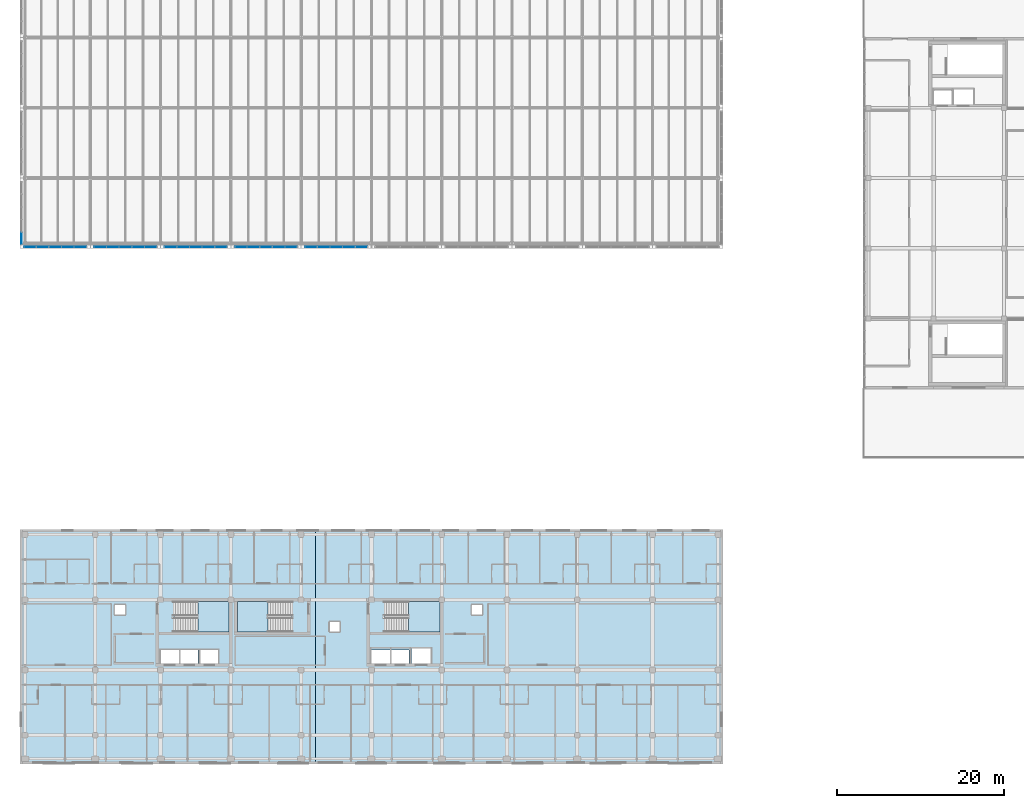
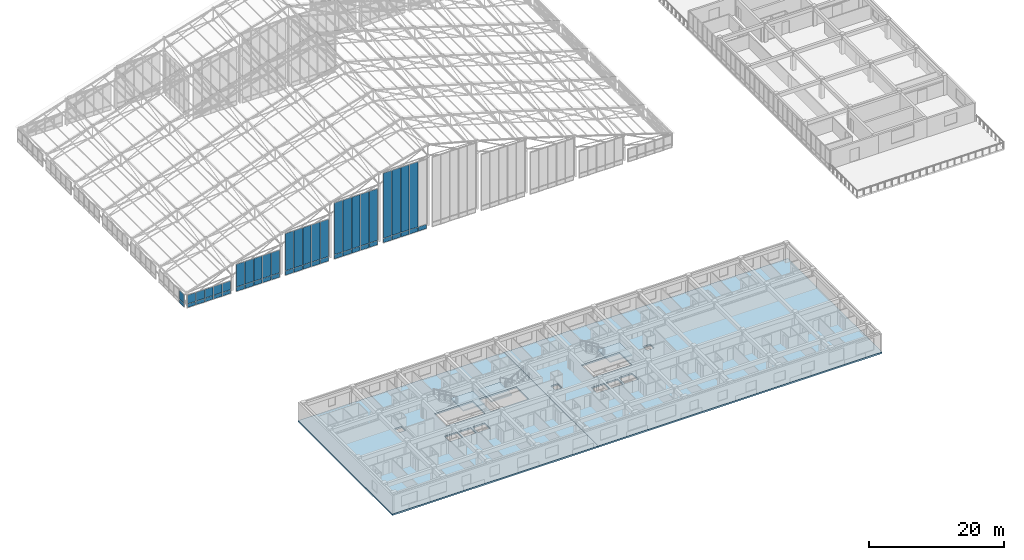
# One storey, part 105 of 144: 51 plates, 5 slabs, 9 elements without a shape of their own.
"""IFC4 building model written with IfcOpenShell, lengths in metres."""

from ifc_helpers import new_model, si_unit, direction, frame, origin, origin_2d, place, context, subcontext, project, spatial, polyline, rectangle, outline, extrude, material, layer, layer_set, type_object, element, aggregate, save


model = new_model("IFC4")

# Units and contexts
model_context = context("Model", 3, precision=1e-05, world=origin(), true_north=direction((0.0, 1.0)))
body_context = subcontext(model_context, "Body", "Model", "MODEL_VIEW")
ifc_project = project(units=[si_unit("LENGTHUNIT", "METRE"), si_unit("AREAUNIT", "SQUARE_METRE"), si_unit("VOLUMEUNIT", "CUBIC_METRE"), si_unit("PLANEANGLEUNIT", "RADIAN"), si_unit("MASSUNIT", "GRAM", prefix="KILO")], contexts=[model_context])

# Site, building, storey
site_placement = place(None, origin())
site = spatial("IfcSite", under=ifc_project, at=site_placement, CompositionType="ELEMENT")
building_placement = place(site_placement, origin())
building = spatial("IfcBuilding", under=site, at=building_placement, Name="Zayran Congress Hotel", CompositionType="ELEMENT")
storey_placement = place(building_placement, frame((0.0, 0.0, 19.199951171875)))
storey = spatial("IfcBuildingStorey", under=building, at=storey_placement, Name="L04", CompositionType="ELEMENT", Elevation=19.199951171875)

# Slabs
ifc_material_1 = material(Name="Concrete C32/40", Category="concrete")
ifc_layer_1 = layer(ifc_material_1, 0.280029296875)
ifc_layer_set_1 = layer_set([ifc_layer_1], Name="Concrete C32/40")
slab_type_1 = type_object("IfcSlabType", Name="SL-FL-280", PredefinedType="FLOOR", material=ifc_layer_set_1)
slab_1_placement = place(storey_placement, frame((0.0, 0.0, -0.280029296875)))
element("IfcSlab", 1, at=slab_1_placement, inside=storey, type_object=slab_type_1, Name="SLB-V5-L04-038", PredefinedType="FLOOR", context=body_context, shape_type="SweptSolid", body=[
    extrude(outline(polyline([(8.39990234375, 6.0), (43.699951171875, 6.0), (43.699951171875, 34.0), (8.39990234375, 34.0), (8.39990234375, 6.0)]), holes=[polyline([(26.840087890625, 21.760009765625), (33.39990234375, 21.760009765625), (33.39990234375, 25.39990234375), (26.840087890625, 25.39990234375), (26.840087890625, 21.760009765625)]), polyline([(25.199951171875, 18.0), (27.39990234375, 18.0), (27.39990234375, 19.60009765625), (25.199951171875, 19.60009765625), (25.199951171875, 18.0)]), polyline([(27.60009765625, 18.0), (29.699951171875, 18.0), (29.699951171875, 19.60009765625), (27.60009765625, 19.60009765625), (27.60009765625, 18.0)]), polyline([(30.0, 18.0), (32.10009765625, 18.0), (32.10009765625, 19.60009765625), (30.0, 19.60009765625), (30.0, 18.0)]), polyline([(34.39990234375, 21.760009765625), (40.860107421875, 21.760009765625), (40.860107421875, 25.39990234375), (34.39990234375, 25.39990234375), (34.39990234375, 21.760009765625)]), polyline([(19.739990234375, 23.800048828125), (20.9599609375, 23.800048828125), (20.9599609375, 24.97998046875), (19.739990234375, 24.97998046875), (19.739990234375, 23.800048828125)])]), origin(), (0.0, 0.0, 1.0), 0.280029296875),
])
slab_2_placement = place(storey_placement, frame((0.0, 0.0, -0.280029296875)))
element("IfcSlab", 2, at=slab_2_placement, inside=storey, type_object=slab_type_1, Name="SLB-V5-L04-039", PredefinedType="FLOOR", context=body_context, shape_type="SweptSolid", body=[
    extrude(outline(polyline([(43.699951171875, 6.0), (92.39990234375, 6.0), (92.39990234375, 34.0), (43.699951171875, 34.0), (43.699951171875, 6.0)]), holes=[polyline([(52.0400390625, 21.760009765625), (58.60009765625, 21.760009765625), (58.60009765625, 25.39990234375), (52.0400390625, 25.39990234375), (52.0400390625, 21.760009765625)]), polyline([(50.39990234375, 18.0), (52.60009765625, 18.0), (52.60009765625, 19.60009765625), (50.39990234375, 19.60009765625), (50.39990234375, 18.0)]), polyline([(52.800048828125, 18.0), (54.89990234375, 18.0), (54.89990234375, 19.60009765625), (52.800048828125, 19.60009765625), (52.800048828125, 18.0)]), polyline([(55.199951171875, 18.0), (57.5, 18.0), (57.5, 19.800048828125), (55.199951171875, 19.800048828125), (55.199951171875, 18.0)]), polyline([(45.39990234375, 21.800048828125), (46.6201171875, 21.800048828125), (46.6201171875, 22.97998046875), (45.39990234375, 22.97998046875), (45.39990234375, 21.800048828125)]), polyline([(62.39990234375, 23.800048828125), (63.6201171875, 23.800048828125), (63.6201171875, 24.97998046875), (62.39990234375, 24.97998046875), (62.39990234375, 23.800048828125)])]), origin(), (0.0, 0.0, 1.0), 0.280029296875),
])

# Curtain wall, plates
ifc_material_2 = material(Name="Anodised aluminium and low-E insulated glass", Category="aluminium")
ifc_layer_2 = layer(ifc_material_2, 0.179931640625)
ifc_layer_set_2 = layer_set([ifc_layer_2], Name="Anodised aluminium and low-E insulated glass")
curtain_wall_type_1 = type_object("IfcCurtainWallType", Name="CW-V1CL-L04-CW-12-7560-5020", PredefinedType="USERDEFINED", material=ifc_layer_set_2)
curtain_wall_1_placement = place(storey_placement, origin())
curtain_wall_1 = element("IfcCurtainWall", 3, at=curtain_wall_1_placement, inside=storey, type_object=curtain_wall_type_1, Name="CW-V1CLS-1", ObjectType="CURTAIN WALL", PredefinedType="USERDEFINED")
ifc_material_3 = material(Name="Insulated warm bronze aluminium spandrel panel", Category="aluminium")
ifc_layer_3 = layer(ifc_material_3, 0.06005859375)
ifc_layer_set_3 = layer_set([ifc_layer_3], Name="Insulated warm bronze aluminium spandrel panel")
plate_type_1 = type_object("IfcPlateType", Name="CWP-SP-1392-750", PredefinedType="CURTAIN_PANEL", material=ifc_layer_set_3)
plate_1_placement = place(storey_placement, frame((17.99609375, 67.75, -0.159912109375), z_axis=(0.0, 0.0, 1.0), x_axis=(1.0, 0.0, 0.0)))
plate_1 = element("IfcPlate", 4, at=plate_1_placement, type_object=plate_type_1, Name="CW-12 Spandrel Panel 1", PredefinedType="CURTAIN_PANEL", context=body_context, shape_type="SweptSolid", body=[
    extrude(rectangle(XDim=1.39208984375, YDim=0.06005859375, at=origin_2d()), origin(), (0.0, 0.0, 1.0), 0.75),
])
plate_2_placement = place(storey_placement, frame((19.488037109375, 67.75, -0.159912109375), z_axis=(0.0, 0.0, 1.0), x_axis=(1.0, 0.0, 0.0)))
plate_2 = element("IfcPlate", 5, at=plate_2_placement, type_object=plate_type_1, Name="CW-12 Spandrel Panel 2", PredefinedType="CURTAIN_PANEL", context=body_context, shape_type="SweptSolid", body=[
    extrude(rectangle(XDim=1.431884765625, YDim=0.06005859375, at=origin_2d()), origin(), (0.0, 0.0, 1.0), 0.75),
])
plate_3_placement = place(storey_placement, frame((21.0, 67.75, -0.159912109375), z_axis=(0.0, 0.0, 1.0), x_axis=(1.0, 0.0, 0.0)))
plate_3 = element("IfcPlate", 6, at=plate_3_placement, type_object=plate_type_1, Name="CW-12 Spandrel Panel 3", PredefinedType="CURTAIN_PANEL", context=body_context, shape_type="SweptSolid", body=[
    extrude(rectangle(XDim=1.431884765625, YDim=0.06005859375, at=origin_2d()), origin(), (0.0, 0.0, 1.0), 0.75),
])
plate_4_placement = place(storey_placement, frame((22.511962890625, 67.75, -0.159912109375), z_axis=(0.0, 0.0, 1.0), x_axis=(1.0, 0.0, 0.0)))
plate_4 = element("IfcPlate", 7, at=plate_4_placement, type_object=plate_type_1, Name="CW-12 Spandrel Panel 4", PredefinedType="CURTAIN_PANEL", context=body_context, shape_type="SweptSolid", body=[
    extrude(rectangle(XDim=1.431884765625, YDim=0.06005859375, at=origin_2d()), origin(), (0.0, 0.0, 1.0), 0.75),
])
plate_5_placement = place(storey_placement, frame((24.00390625, 67.75, -0.159912109375), z_axis=(0.0, 0.0, 1.0), x_axis=(1.0, 0.0, 0.0)))
plate_5 = element("IfcPlate", 8, at=plate_5_placement, type_object=plate_type_1, Name="CW-12 Spandrel Panel 5", PredefinedType="CURTAIN_PANEL", context=body_context, shape_type="SweptSolid", body=[
    extrude(rectangle(XDim=1.39208984375, YDim=0.06005859375, at=origin_2d()), origin(), (0.0, 0.0, 1.0), 0.75),
])

ifc_layer_4 = layer(ifc_material_2, 0.179931640625)
ifc_layer_set_4 = layer_set([ifc_layer_4], Name="Anodised aluminium and low-E insulated glass")
curtain_wall_type_2 = type_object("IfcCurtainWallType", Name="CW-V1CL-L04-CW-13-7560-7670", PredefinedType="USERDEFINED", material=ifc_layer_set_4)
curtain_wall_2_placement = place(storey_placement, origin())
curtain_wall_2 = element("IfcCurtainWall", 9, at=curtain_wall_2_placement, inside=storey, type_object=curtain_wall_type_2, Name="CW-V1CLS-2", ObjectType="CURTAIN WALL", PredefinedType="USERDEFINED")
plate_6_placement = place(storey_placement, frame((26.39599609375, 67.75, -0.159912109375), z_axis=(0.0, 0.0, 1.0), x_axis=(1.0, 0.0, 0.0)))
plate_6 = element("IfcPlate", 10, at=plate_6_placement, type_object=plate_type_1, Name="CW-13 Spandrel Panel 1", PredefinedType="CURTAIN_PANEL", context=body_context, shape_type="SweptSolid", body=[
    extrude(rectangle(XDim=1.39208984375, YDim=0.06005859375, at=origin_2d()), origin(), (0.0, 0.0, 1.0), 0.75),
])
plate_7_placement = place(storey_placement, frame((27.887939453125, 67.75, -0.159912109375), z_axis=(0.0, 0.0, 1.0), x_axis=(1.0, 0.0, 0.0)))
plate_7 = element("IfcPlate", 11, at=plate_7_placement, type_object=plate_type_1, Name="CW-13 Spandrel Panel 2", PredefinedType="CURTAIN_PANEL", context=body_context, shape_type="SweptSolid", body=[
    extrude(rectangle(XDim=1.431884765625, YDim=0.06005859375, at=origin_2d()), origin(), (0.0, 0.0, 1.0), 0.75),
])
plate_8_placement = place(storey_placement, frame((29.39990234375, 67.75, -0.159912109375), z_axis=(0.0, 0.0, 1.0), x_axis=(1.0, 0.0, 0.0)))
plate_8 = element("IfcPlate", 12, at=plate_8_placement, type_object=plate_type_1, Name="CW-13 Spandrel Panel 3", PredefinedType="CURTAIN_PANEL", context=body_context, shape_type="SweptSolid", body=[
    extrude(rectangle(XDim=1.431884765625, YDim=0.06005859375, at=origin_2d()), origin(), (0.0, 0.0, 1.0), 0.75),
])
plate_9_placement = place(storey_placement, frame((30.912109375, 67.75, -0.159912109375), z_axis=(0.0, 0.0, 1.0), x_axis=(1.0, 0.0, 0.0)))
plate_9 = element("IfcPlate", 13, at=plate_9_placement, type_object=plate_type_1, Name="CW-13 Spandrel Panel 4", PredefinedType="CURTAIN_PANEL", context=body_context, shape_type="SweptSolid", body=[
    extrude(rectangle(XDim=1.431884765625, YDim=0.06005859375, at=origin_2d()), origin(), (0.0, 0.0, 1.0), 0.75),
])
plate_10_placement = place(storey_placement, frame((32.404052734375, 67.75, -0.159912109375), z_axis=(0.0, 0.0, 1.0), x_axis=(1.0, 0.0, 0.0)))
plate_10 = element("IfcPlate", 14, at=plate_10_placement, type_object=plate_type_1, Name="CW-13 Spandrel Panel 5", PredefinedType="CURTAIN_PANEL", context=body_context, shape_type="SweptSolid", body=[
    extrude(rectangle(XDim=1.39208984375, YDim=0.06005859375, at=origin_2d()), origin(), (0.0, 0.0, 1.0), 0.75),
])

ifc_layer_5 = layer(ifc_material_2, 0.179931640625)
ifc_layer_set_5 = layer_set([ifc_layer_5], Name="Anodised aluminium and low-E insulated glass")
curtain_wall_type_3 = type_object("IfcCurtainWallType", Name="CW-V1CL-L04-CW-11-7560-10270", PredefinedType="USERDEFINED", material=ifc_layer_set_5)
curtain_wall_3_placement = place(storey_placement, origin())
curtain_wall_3 = element("IfcCurtainWall", 15, at=curtain_wall_3_placement, inside=storey, type_object=curtain_wall_type_3, Name="CW-V1CLS-3", ObjectType="CURTAIN WALL", PredefinedType="USERDEFINED")
plate_11_placement = place(storey_placement, frame((34.7958984375, 67.75, -0.159912109375), z_axis=(0.0, 0.0, 1.0), x_axis=(1.0, 0.0, 0.0)))
plate_11 = element("IfcPlate", 16, at=plate_11_placement, type_object=plate_type_1, Name="CW-11 Spandrel Panel 1", PredefinedType="CURTAIN_PANEL", context=body_context, shape_type="SweptSolid", body=[
    extrude(rectangle(XDim=1.39208984375, YDim=0.06005859375, at=origin_2d()), origin(), (0.0, 0.0, 1.0), 0.75),
])
plate_12_placement = place(storey_placement, frame((36.2880859375, 67.75, -0.159912109375), z_axis=(0.0, 0.0, 1.0), x_axis=(1.0, 0.0, 0.0)))
plate_12 = element("IfcPlate", 17, at=plate_12_placement, type_object=plate_type_1, Name="CW-11 Spandrel Panel 2", PredefinedType="CURTAIN_PANEL", context=body_context, shape_type="SweptSolid", body=[
    extrude(rectangle(XDim=1.431884765625, YDim=0.06005859375, at=origin_2d()), origin(), (0.0, 0.0, 1.0), 0.75),
])
plate_13_placement = place(storey_placement, frame((37.800048828125, 67.75, -0.159912109375), z_axis=(0.0, 0.0, 1.0), x_axis=(1.0, 0.0, 0.0)))
plate_13 = element("IfcPlate", 18, at=plate_13_placement, type_object=plate_type_1, Name="CW-11 Spandrel Panel 3", PredefinedType="CURTAIN_PANEL", context=body_context, shape_type="SweptSolid", body=[
    extrude(rectangle(XDim=1.431884765625, YDim=0.06005859375, at=origin_2d()), origin(), (0.0, 0.0, 1.0), 0.75),
])
plate_14_placement = place(storey_placement, frame((39.31201171875, 67.75, -0.159912109375), z_axis=(0.0, 0.0, 1.0), x_axis=(1.0, 0.0, 0.0)))
plate_14 = element("IfcPlate", 19, at=plate_14_placement, type_object=plate_type_1, Name="CW-11 Spandrel Panel 4", PredefinedType="CURTAIN_PANEL", context=body_context, shape_type="SweptSolid", body=[
    extrude(rectangle(XDim=1.431884765625, YDim=0.06005859375, at=origin_2d()), origin(), (0.0, 0.0, 1.0), 0.75),
])
plate_15_placement = place(storey_placement, frame((40.803955078125, 67.75, -0.159912109375), z_axis=(0.0, 0.0, 1.0), x_axis=(1.0, 0.0, 0.0)))
plate_15 = element("IfcPlate", 20, at=plate_15_placement, type_object=plate_type_1, Name="CW-11 Spandrel Panel 5", PredefinedType="CURTAIN_PANEL", context=body_context, shape_type="SweptSolid", body=[
    extrude(rectangle(XDim=1.39208984375, YDim=0.06005859375, at=origin_2d()), origin(), (0.0, 0.0, 1.0), 0.75),
])

ifc_layer_6 = layer(ifc_material_2, 0.179931640625)
ifc_layer_set_6 = layer_set([ifc_layer_6], Name="Anodised aluminium and low-E insulated glass")
curtain_wall_type_4 = type_object("IfcCurtainWallType", Name="CW-V1CL-L04-CW-12-7560-12720", PredefinedType="USERDEFINED", material=ifc_layer_set_6)
curtain_wall_4_placement = place(storey_placement, origin())
curtain_wall_4 = element("IfcCurtainWall", 21, at=curtain_wall_4_placement, inside=storey, type_object=curtain_wall_type_4, Name="CW-V1CLS-4", ObjectType="CURTAIN WALL", PredefinedType="USERDEFINED")
plate_16_placement = place(storey_placement, frame((43.196044921875, 67.75, -0.159912109375), z_axis=(0.0, 0.0, 1.0), x_axis=(1.0, 0.0, 0.0)))
plate_16 = element("IfcPlate", 22, at=plate_16_placement, type_object=plate_type_1, Name="CW-12 Spandrel Panel 1", PredefinedType="CURTAIN_PANEL", context=body_context, shape_type="SweptSolid", body=[
    extrude(rectangle(XDim=1.39208984375, YDim=0.06005859375, at=origin_2d()), origin(), (0.0, 0.0, 1.0), 0.75),
])
plate_17_placement = place(storey_placement, frame((44.68798828125, 67.75, -0.159912109375), z_axis=(0.0, 0.0, 1.0), x_axis=(1.0, 0.0, 0.0)))
plate_17 = element("IfcPlate", 23, at=plate_17_placement, type_object=plate_type_1, Name="CW-12 Spandrel Panel 2", PredefinedType="CURTAIN_PANEL", context=body_context, shape_type="SweptSolid", body=[
    extrude(rectangle(XDim=1.431884765625, YDim=0.06005859375, at=origin_2d()), origin(), (0.0, 0.0, 1.0), 0.75),
])
plate_18_placement = place(storey_placement, frame((46.199951171875, 67.75, -0.159912109375), z_axis=(0.0, 0.0, 1.0), x_axis=(1.0, 0.0, 0.0)))
plate_18 = element("IfcPlate", 24, at=plate_18_placement, type_object=plate_type_1, Name="CW-12 Spandrel Panel 3", PredefinedType="CURTAIN_PANEL", context=body_context, shape_type="SweptSolid", body=[
    extrude(rectangle(XDim=1.431884765625, YDim=0.06005859375, at=origin_2d()), origin(), (0.0, 0.0, 1.0), 0.75),
])
plate_19_placement = place(storey_placement, frame((47.7119140625, 67.75, -0.159912109375), z_axis=(0.0, 0.0, 1.0), x_axis=(1.0, 0.0, 0.0)))
plate_19 = element("IfcPlate", 25, at=plate_19_placement, type_object=plate_type_1, Name="CW-12 Spandrel Panel 4", PredefinedType="CURTAIN_PANEL", context=body_context, shape_type="SweptSolid", body=[
    extrude(rectangle(XDim=1.431884765625, YDim=0.06005859375, at=origin_2d()), origin(), (0.0, 0.0, 1.0), 0.75),
])
plate_20_placement = place(storey_placement, frame((49.2041015625, 67.75, -0.159912109375), z_axis=(0.0, 0.0, 1.0), x_axis=(1.0, 0.0, 0.0)))
plate_20 = element("IfcPlate", 26, at=plate_20_placement, type_object=plate_type_1, Name="CW-12 Spandrel Panel 5", PredefinedType="CURTAIN_PANEL", context=body_context, shape_type="SweptSolid", body=[
    extrude(rectangle(XDim=1.39208984375, YDim=0.06005859375, at=origin_2d()), origin(), (0.0, 0.0, 1.0), 0.75),
])

# Curtain wall, plate
ifc_layer_7 = layer(ifc_material_2, 0.179931640625)
ifc_layer_set_7 = layer_set([ifc_layer_7], Name="Anodised aluminium and low-E insulated glass")
curtain_wall_type_5 = type_object("IfcCurtainWallType", Name="CW-V1CL-L04-CW-31-7560-2370", PredefinedType="USERDEFINED", material=ifc_layer_set_7)
curtain_wall_5_placement = place(storey_placement, origin())
curtain_wall_5 = element("IfcCurtainWall", 27, at=curtain_wall_5_placement, inside=storey, type_object=curtain_wall_type_5, Name="CW-V1CLW-0", ObjectType="CURTAIN WALL", PredefinedType="USERDEFINED")
ifc_layer_8 = layer(ifc_material_3, 0.06005859375)
ifc_layer_set_8 = layer_set([ifc_layer_8], Name="Insulated warm bronze aluminium spandrel panel")
plate_type_2 = type_object("IfcPlateType", Name="CWP-SP-1392-630", PredefinedType="CURTAIN_PANEL", material=ifc_layer_set_8)
plate_21_placement = place(storey_placement, frame((8.550048828125, 68.7958984375, -0.159912109375), z_axis=(0.0, 0.0, 1.0), x_axis=(0.0, 1.0, 0.0)))
plate_21 = element("IfcPlate", 28, at=plate_21_placement, type_object=plate_type_2, Name="CW-31 Spandrel Panel 5", PredefinedType="CURTAIN_PANEL", context=body_context, shape_type="SweptSolid", body=[
    extrude(rectangle(XDim=1.39208984375, YDim=0.06005859375, at=origin_2d()), origin(), (0.0, 0.0, 1.0), 0.6298828125),
])

# Curtain wall, plates
ifc_layer_9 = layer(ifc_material_2, 0.179931640625)
ifc_layer_set_9 = layer_set([ifc_layer_9], Name="Anodised aluminium and low-E insulated glass")
curtain_wall_type_6 = type_object("IfcCurtainWallType", Name="CW-V1CL-L04-CW-11-7560-2370", PredefinedType="USERDEFINED", material=ifc_layer_set_9)
curtain_wall_6_placement = place(storey_placement, origin())
curtain_wall_6 = element("IfcCurtainWall", 29, at=curtain_wall_6_placement, inside=storey, type_object=curtain_wall_type_6, Name="CW-V1CLS-0", ObjectType="CURTAIN WALL", PredefinedType="USERDEFINED")
plate_22_placement = place(storey_placement, frame((9.595947265625, 67.75, -0.159912109375), z_axis=(0.0, 0.0, 1.0), x_axis=(1.0, 0.0, 0.0)))
plate_22 = element("IfcPlate", 30, at=plate_22_placement, type_object=plate_type_2, Name="CW-11 Spandrel Panel 1", PredefinedType="CURTAIN_PANEL", context=body_context, shape_type="SweptSolid", body=[
    extrude(rectangle(XDim=1.39208984375, YDim=0.06005859375, at=origin_2d()), origin(), (0.0, 0.0, 1.0), 0.6298828125),
])
plate_23_placement = place(storey_placement, frame((11.087890625, 67.75, -0.159912109375), z_axis=(0.0, 0.0, 1.0), x_axis=(1.0, 0.0, 0.0)))
plate_23 = element("IfcPlate", 31, at=plate_23_placement, type_object=plate_type_2, Name="CW-11 Spandrel Panel 2", PredefinedType="CURTAIN_PANEL", context=body_context, shape_type="SweptSolid", body=[
    extrude(rectangle(XDim=1.431884765625, YDim=0.06005859375, at=origin_2d()), origin(), (0.0, 0.0, 1.0), 0.6298828125),
])
plate_24_placement = place(storey_placement, frame((12.60009765625, 67.75, -0.159912109375), z_axis=(0.0, 0.0, 1.0), x_axis=(1.0, 0.0, 0.0)))
plate_24 = element("IfcPlate", 32, at=plate_24_placement, type_object=plate_type_2, Name="CW-11 Spandrel Panel 3", PredefinedType="CURTAIN_PANEL", context=body_context, shape_type="SweptSolid", body=[
    extrude(rectangle(XDim=1.431884765625, YDim=0.06005859375, at=origin_2d()), origin(), (0.0, 0.0, 1.0), 0.6298828125),
])
plate_25_placement = place(storey_placement, frame((14.112060546875, 67.75, -0.159912109375), z_axis=(0.0, 0.0, 1.0), x_axis=(1.0, 0.0, 0.0)))
plate_25 = element("IfcPlate", 33, at=plate_25_placement, type_object=plate_type_2, Name="CW-11 Spandrel Panel 4", PredefinedType="CURTAIN_PANEL", context=body_context, shape_type="SweptSolid", body=[
    extrude(rectangle(XDim=1.431884765625, YDim=0.06005859375, at=origin_2d()), origin(), (0.0, 0.0, 1.0), 0.6298828125),
])
plate_26_placement = place(storey_placement, frame((15.60400390625, 67.75, -0.159912109375), z_axis=(0.0, 0.0, 1.0), x_axis=(1.0, 0.0, 0.0)))
plate_26 = element("IfcPlate", 34, at=plate_26_placement, type_object=plate_type_2, Name="CW-11 Spandrel Panel 5", PredefinedType="CURTAIN_PANEL", context=body_context, shape_type="SweptSolid", body=[
    extrude(rectangle(XDim=1.39208984375, YDim=0.06005859375, at=origin_2d()), origin(), (0.0, 0.0, 1.0), 0.6298828125),
])

# Plate
ifc_layer_10 = layer(ifc_material_3, 0.06005859375)
ifc_layer_set_10 = layer_set([ifc_layer_10], Name="Insulated warm bronze aluminium spandrel panel")
plate_type_3 = type_object("IfcPlateType", Name="CWP-SP-1392-1560", PredefinedType="CURTAIN_PANEL", material=ifc_layer_set_10)
plate_27_placement = place(storey_placement, frame((8.550048828125, 68.7958984375, 0.530029296875), z_axis=(0.0, 0.0, 1.0), x_axis=(0.0, 1.0, 0.0)))
plate_27 = element("IfcPlate", 35, at=plate_27_placement, type_object=plate_type_3, Name="CW-31 Upper Spandrel Panel 5", PredefinedType="CURTAIN_PANEL", context=body_context, shape_type="SweptSolid", body=[
    extrude(rectangle(XDim=1.39208984375, YDim=0.06005859375, at=origin_2d()), origin(), (0.0, 0.0, 1.0), 1.56005859375),
])

aggregate(curtain_wall_5, [plate_21, plate_27])

plate_28_placement = place(storey_placement, frame((9.595947265625, 67.75, 0.530029296875), z_axis=(0.0, 0.0, 1.0), x_axis=(1.0, 0.0, 0.0)))
plate_28 = element("IfcPlate", 36, at=plate_28_placement, type_object=plate_type_3, Name="CW-11 Upper Spandrel Panel 1", PredefinedType="CURTAIN_PANEL", context=body_context, shape_type="SweptSolid", body=[
    extrude(rectangle(XDim=1.39208984375, YDim=0.06005859375, at=origin_2d()), origin(), (0.0, 0.0, 1.0), 1.56005859375),
])

plate_29_placement = place(storey_placement, frame((11.087890625, 67.75, 0.530029296875), z_axis=(0.0, 0.0, 1.0), x_axis=(1.0, 0.0, 0.0)))
plate_29 = element("IfcPlate", 37, at=plate_29_placement, type_object=plate_type_3, Name="CW-11 Upper Spandrel Panel 2", PredefinedType="CURTAIN_PANEL", context=body_context, shape_type="SweptSolid", body=[
    extrude(rectangle(XDim=1.431884765625, YDim=0.06005859375, at=origin_2d()), origin(), (0.0, 0.0, 1.0), 1.56005859375),
])

plate_30_placement = place(storey_placement, frame((12.60009765625, 67.75, 0.530029296875), z_axis=(0.0, 0.0, 1.0), x_axis=(1.0, 0.0, 0.0)))
plate_30 = element("IfcPlate", 38, at=plate_30_placement, type_object=plate_type_3, Name="CW-11 Upper Spandrel Panel 3", PredefinedType="CURTAIN_PANEL", context=body_context, shape_type="SweptSolid", body=[
    extrude(rectangle(XDim=1.431884765625, YDim=0.06005859375, at=origin_2d()), origin(), (0.0, 0.0, 1.0), 1.56005859375),
])

plate_31_placement = place(storey_placement, frame((14.112060546875, 67.75, 0.530029296875), z_axis=(0.0, 0.0, 1.0), x_axis=(1.0, 0.0, 0.0)))
plate_31 = element("IfcPlate", 39, at=plate_31_placement, type_object=plate_type_3, Name="CW-11 Upper Spandrel Panel 4", PredefinedType="CURTAIN_PANEL", context=body_context, shape_type="SweptSolid", body=[
    extrude(rectangle(XDim=1.431884765625, YDim=0.06005859375, at=origin_2d()), origin(), (0.0, 0.0, 1.0), 1.56005859375),
])

plate_32_placement = place(storey_placement, frame((15.60400390625, 67.75, 0.530029296875), z_axis=(0.0, 0.0, 1.0), x_axis=(1.0, 0.0, 0.0)))
plate_32 = element("IfcPlate", 40, at=plate_32_placement, type_object=plate_type_3, Name="CW-11 Upper Spandrel Panel 5", PredefinedType="CURTAIN_PANEL", context=body_context, shape_type="SweptSolid", body=[
    extrude(rectangle(XDim=1.39208984375, YDim=0.06005859375, at=origin_2d()), origin(), (0.0, 0.0, 1.0), 1.56005859375),
])

aggregate(curtain_wall_6, [plate_22, plate_28, plate_23, plate_29, plate_24, plate_30, plate_25, plate_31, plate_26, plate_32])

ifc_layer_11 = layer(ifc_material_3, 0.06005859375)
ifc_layer_set_11 = layer_set([ifc_layer_11], Name="Insulated warm bronze aluminium spandrel panel")
plate_type_4 = type_object("IfcPlateType", Name="CWP-SP-1392-4090", PredefinedType="CURTAIN_PANEL", material=ifc_layer_set_11)
plate_33_placement = place(storey_placement, frame((17.99609375, 67.75, 0.64990234375), z_axis=(0.0, 0.0, 1.0), x_axis=(1.0, 0.0, 0.0)))
plate_33 = element("IfcPlate", 41, at=plate_33_placement, type_object=plate_type_4, Name="CW-12 Upper Spandrel Panel 1", PredefinedType="CURTAIN_PANEL", context=body_context, shape_type="SweptSolid", body=[
    extrude(rectangle(XDim=1.39208984375, YDim=0.06005859375, at=origin_2d()), origin(), (0.0, 0.0, 1.0), 4.090087890625),
])

plate_34_placement = place(storey_placement, frame((19.488037109375, 67.75, 0.64990234375), z_axis=(0.0, 0.0, 1.0), x_axis=(1.0, 0.0, 0.0)))
plate_34 = element("IfcPlate", 42, at=plate_34_placement, type_object=plate_type_4, Name="CW-12 Upper Spandrel Panel 2", PredefinedType="CURTAIN_PANEL", context=body_context, shape_type="SweptSolid", body=[
    extrude(rectangle(XDim=1.431884765625, YDim=0.06005859375, at=origin_2d()), origin(), (0.0, 0.0, 1.0), 4.090087890625),
])

plate_35_placement = place(storey_placement, frame((21.0, 67.75, 0.64990234375), z_axis=(0.0, 0.0, 1.0), x_axis=(1.0, 0.0, 0.0)))
plate_35 = element("IfcPlate", 43, at=plate_35_placement, type_object=plate_type_4, Name="CW-12 Upper Spandrel Panel 3", PredefinedType="CURTAIN_PANEL", context=body_context, shape_type="SweptSolid", body=[
    extrude(rectangle(XDim=1.431884765625, YDim=0.06005859375, at=origin_2d()), origin(), (0.0, 0.0, 1.0), 4.090087890625),
])

plate_36_placement = place(storey_placement, frame((22.511962890625, 67.75, 0.64990234375), z_axis=(0.0, 0.0, 1.0), x_axis=(1.0, 0.0, 0.0)))
plate_36 = element("IfcPlate", 44, at=plate_36_placement, type_object=plate_type_4, Name="CW-12 Upper Spandrel Panel 4", PredefinedType="CURTAIN_PANEL", context=body_context, shape_type="SweptSolid", body=[
    extrude(rectangle(XDim=1.431884765625, YDim=0.06005859375, at=origin_2d()), origin(), (0.0, 0.0, 1.0), 4.090087890625),
])

plate_37_placement = place(storey_placement, frame((24.00390625, 67.75, 0.64990234375), z_axis=(0.0, 0.0, 1.0), x_axis=(1.0, 0.0, 0.0)))
plate_37 = element("IfcPlate", 45, at=plate_37_placement, type_object=plate_type_4, Name="CW-12 Upper Spandrel Panel 5", PredefinedType="CURTAIN_PANEL", context=body_context, shape_type="SweptSolid", body=[
    extrude(rectangle(XDim=1.39208984375, YDim=0.06005859375, at=origin_2d()), origin(), (0.0, 0.0, 1.0), 4.090087890625),
])

aggregate(curtain_wall_1, [plate_1, plate_33, plate_2, plate_34, plate_3, plate_35, plate_4, plate_36, plate_5, plate_37])

ifc_layer_12 = layer(ifc_material_3, 0.06005859375)
ifc_layer_set_12 = layer_set([ifc_layer_12], Name="Insulated warm bronze aluminium spandrel panel")
plate_type_5 = type_object("IfcPlateType", Name="CWP-SP-1392-6740", PredefinedType="CURTAIN_PANEL", material=ifc_layer_set_12)
plate_38_placement = place(storey_placement, frame((26.39599609375, 67.75, 0.64990234375), z_axis=(0.0, 0.0, 1.0), x_axis=(1.0, 0.0, 0.0)))
plate_38 = element("IfcPlate", 46, at=plate_38_placement, type_object=plate_type_5, Name="CW-13 Upper Spandrel Panel 1", PredefinedType="CURTAIN_PANEL", context=body_context, shape_type="SweptSolid", body=[
    extrude(rectangle(XDim=1.39208984375, YDim=0.06005859375, at=origin_2d()), origin(), (0.0, 0.0, 1.0), 6.739990234375),
])

plate_39_placement = place(storey_placement, frame((27.887939453125, 67.75, 0.64990234375), z_axis=(0.0, 0.0, 1.0), x_axis=(1.0, 0.0, 0.0)))
plate_39 = element("IfcPlate", 47, at=plate_39_placement, type_object=plate_type_5, Name="CW-13 Upper Spandrel Panel 2", PredefinedType="CURTAIN_PANEL", context=body_context, shape_type="SweptSolid", body=[
    extrude(rectangle(XDim=1.431884765625, YDim=0.06005859375, at=origin_2d()), origin(), (0.0, 0.0, 1.0), 6.739990234375),
])

plate_40_placement = place(storey_placement, frame((29.39990234375, 67.75, 0.64990234375), z_axis=(0.0, 0.0, 1.0), x_axis=(1.0, 0.0, 0.0)))
plate_40 = element("IfcPlate", 48, at=plate_40_placement, type_object=plate_type_5, Name="CW-13 Upper Spandrel Panel 3", PredefinedType="CURTAIN_PANEL", context=body_context, shape_type="SweptSolid", body=[
    extrude(rectangle(XDim=1.431884765625, YDim=0.06005859375, at=origin_2d()), origin(), (0.0, 0.0, 1.0), 6.739990234375),
])

plate_41_placement = place(storey_placement, frame((30.912109375, 67.75, 0.64990234375), z_axis=(0.0, 0.0, 1.0), x_axis=(1.0, 0.0, 0.0)))
plate_41 = element("IfcPlate", 49, at=plate_41_placement, type_object=plate_type_5, Name="CW-13 Upper Spandrel Panel 4", PredefinedType="CURTAIN_PANEL", context=body_context, shape_type="SweptSolid", body=[
    extrude(rectangle(XDim=1.431884765625, YDim=0.06005859375, at=origin_2d()), origin(), (0.0, 0.0, 1.0), 6.739990234375),
])

plate_42_placement = place(storey_placement, frame((32.404052734375, 67.75, 0.64990234375), z_axis=(0.0, 0.0, 1.0), x_axis=(1.0, 0.0, 0.0)))
plate_42 = element("IfcPlate", 50, at=plate_42_placement, type_object=plate_type_5, Name="CW-13 Upper Spandrel Panel 5", PredefinedType="CURTAIN_PANEL", context=body_context, shape_type="SweptSolid", body=[
    extrude(rectangle(XDim=1.39208984375, YDim=0.06005859375, at=origin_2d()), origin(), (0.0, 0.0, 1.0), 6.739990234375),
])

aggregate(curtain_wall_2, [plate_6, plate_38, plate_7, plate_39, plate_8, plate_40, plate_9, plate_41, plate_10, plate_42])

ifc_layer_13 = layer(ifc_material_3, 0.06005859375)
ifc_layer_set_13 = layer_set([ifc_layer_13], Name="Insulated warm bronze aluminium spandrel panel")
plate_type_6 = type_object("IfcPlateType", Name="CWP-SP-1392-9340", PredefinedType="CURTAIN_PANEL", material=ifc_layer_set_13)
plate_43_placement = place(storey_placement, frame((34.7958984375, 67.75, 0.64990234375), z_axis=(0.0, 0.0, 1.0), x_axis=(1.0, 0.0, 0.0)))
plate_43 = element("IfcPlate", 51, at=plate_43_placement, type_object=plate_type_6, Name="CW-11 Upper Spandrel Panel 1", PredefinedType="CURTAIN_PANEL", context=body_context, shape_type="SweptSolid", body=[
    extrude(rectangle(XDim=1.39208984375, YDim=0.06005859375, at=origin_2d()), origin(), (0.0, 0.0, 1.0), 9.340087890625),
])

plate_44_placement = place(storey_placement, frame((36.2880859375, 67.75, 0.64990234375), z_axis=(0.0, 0.0, 1.0), x_axis=(1.0, 0.0, 0.0)))
plate_44 = element("IfcPlate", 52, at=plate_44_placement, type_object=plate_type_6, Name="CW-11 Upper Spandrel Panel 2", PredefinedType="CURTAIN_PANEL", context=body_context, shape_type="SweptSolid", body=[
    extrude(rectangle(XDim=1.431884765625, YDim=0.06005859375, at=origin_2d()), origin(), (0.0, 0.0, 1.0), 9.340087890625),
])

plate_45_placement = place(storey_placement, frame((37.800048828125, 67.75, 0.64990234375), z_axis=(0.0, 0.0, 1.0), x_axis=(1.0, 0.0, 0.0)))
plate_45 = element("IfcPlate", 53, at=plate_45_placement, type_object=plate_type_6, Name="CW-11 Upper Spandrel Panel 3", PredefinedType="CURTAIN_PANEL", context=body_context, shape_type="SweptSolid", body=[
    extrude(rectangle(XDim=1.431884765625, YDim=0.06005859375, at=origin_2d()), origin(), (0.0, 0.0, 1.0), 9.340087890625),
])

plate_46_placement = place(storey_placement, frame((39.31201171875, 67.75, 0.64990234375), z_axis=(0.0, 0.0, 1.0), x_axis=(1.0, 0.0, 0.0)))
plate_46 = element("IfcPlate", 54, at=plate_46_placement, type_object=plate_type_6, Name="CW-11 Upper Spandrel Panel 4", PredefinedType="CURTAIN_PANEL", context=body_context, shape_type="SweptSolid", body=[
    extrude(rectangle(XDim=1.431884765625, YDim=0.06005859375, at=origin_2d()), origin(), (0.0, 0.0, 1.0), 9.340087890625),
])

plate_47_placement = place(storey_placement, frame((40.803955078125, 67.75, 0.64990234375), z_axis=(0.0, 0.0, 1.0), x_axis=(1.0, 0.0, 0.0)))
plate_47 = element("IfcPlate", 55, at=plate_47_placement, type_object=plate_type_6, Name="CW-11 Upper Spandrel Panel 5", PredefinedType="CURTAIN_PANEL", context=body_context, shape_type="SweptSolid", body=[
    extrude(rectangle(XDim=1.39208984375, YDim=0.06005859375, at=origin_2d()), origin(), (0.0, 0.0, 1.0), 9.340087890625),
])

aggregate(curtain_wall_3, [plate_11, plate_43, plate_12, plate_44, plate_13, plate_45, plate_14, plate_46, plate_15, plate_47])

ifc_layer_14 = layer(ifc_material_3, 0.06005859375)
ifc_layer_set_14 = layer_set([ifc_layer_14], Name="Insulated warm bronze aluminium spandrel panel")
plate_type_7 = type_object("IfcPlateType", Name="CWP-SP-1392-11790", PredefinedType="CURTAIN_PANEL", material=ifc_layer_set_14)
plate_48_placement = place(storey_placement, frame((43.196044921875, 67.75, 0.650146484375), z_axis=(0.0, 0.0, 1.0), x_axis=(1.0, 0.0, 0.0)))
plate_48 = element("IfcPlate", 56, at=plate_48_placement, type_object=plate_type_7, Name="CW-12 Upper Spandrel Panel 1", PredefinedType="CURTAIN_PANEL", context=body_context, shape_type="SweptSolid", body=[
    extrude(rectangle(XDim=1.39208984375, YDim=0.06005859375, at=origin_2d()), origin(), (0.0, 0.0, 1.0), 11.7900390625),
])

plate_49_placement = place(storey_placement, frame((44.68798828125, 67.75, 0.650146484375), z_axis=(0.0, 0.0, 1.0), x_axis=(1.0, 0.0, 0.0)))
plate_49 = element("IfcPlate", 57, at=plate_49_placement, type_object=plate_type_7, Name="CW-12 Upper Spandrel Panel 2", PredefinedType="CURTAIN_PANEL", context=body_context, shape_type="SweptSolid", body=[
    extrude(rectangle(XDim=1.431884765625, YDim=0.06005859375, at=origin_2d()), origin(), (0.0, 0.0, 1.0), 11.7900390625),
])

plate_50_placement = place(storey_placement, frame((46.199951171875, 67.75, 0.650146484375), z_axis=(0.0, 0.0, 1.0), x_axis=(1.0, 0.0, 0.0)))
plate_50 = element("IfcPlate", 58, at=plate_50_placement, type_object=plate_type_7, Name="CW-12 Upper Spandrel Panel 3", PredefinedType="CURTAIN_PANEL", context=body_context, shape_type="SweptSolid", body=[
    extrude(rectangle(XDim=1.431884765625, YDim=0.06005859375, at=origin_2d()), origin(), (0.0, 0.0, 1.0), 11.7900390625),
])

plate_51_placement = place(storey_placement, frame((47.7119140625, 67.75, 0.650146484375), z_axis=(0.0, 0.0, 1.0), x_axis=(1.0, 0.0, 0.0)))
plate_51 = element("IfcPlate", 59, at=plate_51_placement, type_object=plate_type_7, Name="CW-12 Upper Spandrel Panel 4", PredefinedType="CURTAIN_PANEL", context=body_context, shape_type="SweptSolid", body=[
    extrude(rectangle(XDim=1.431884765625, YDim=0.06005859375, at=origin_2d()), origin(), (0.0, 0.0, 1.0), 11.7900390625),
])

aggregate(curtain_wall_4, [plate_16, plate_48, plate_17, plate_49, plate_18, plate_50, plate_19, plate_51, plate_20])

# Stair, slab
stair_type = type_object("IfcStairType", Name="TP-STR-1700-36", PredefinedType="USERDEFINED", material=ifc_material_1)
stair_1_placement = place(storey_placement, origin())
stair_1 = element("IfcStair", 60, at=stair_1_placement, inside=storey, type_object=stair_type, Name="L04 ST-01", ObjectType="TWO_RETURN_STAIR", PredefinedType="USERDEFINED")
ifc_layer_15 = layer(ifc_material_1, 0.199951171875)
ifc_layer_set_15 = layer_set([ifc_layer_15], Name="Concrete C32/40")
slab_type_2 = type_object("IfcSlabType", Name="TP-LND-1700", PredefinedType="LANDING", material=ifc_layer_set_15)
slab_3_placement = place(storey_placement, frame((0.0, 0.0, 1.60009765625)))
slab_3 = element("IfcSlab", 61, at=slab_3_placement, type_object=slab_type_2, Name="ST-01 landing 1", PredefinedType="LANDING", context=body_context, shape_type="SweptSolid", body=[
    extrude(outline(polyline([(29.64990234375, 21.760009765625), (33.39990234375, 21.760009765625), (33.39990234375, 25.39990234375), (29.64990234375, 25.39990234375), (29.64990234375, 21.760009765625)])), origin(), (0.0, 0.0, 1.0), 0.199951171875),
])
aggregate(stair_1, [slab_3])

stair_2_placement = place(storey_placement, origin())
stair_2 = element("IfcStair", 62, at=stair_2_placement, inside=storey, type_object=stair_type, Name="L04 ST-02", ObjectType="TWO_RETURN_STAIR", PredefinedType="USERDEFINED")
slab_4_placement = place(storey_placement, frame((0.0, 0.0, 1.60009765625)))
slab_4 = element("IfcSlab", 63, at=slab_4_placement, type_object=slab_type_2, Name="ST-02 landing 1", PredefinedType="LANDING", context=body_context, shape_type="SweptSolid", body=[
    extrude(outline(polyline([(54.85009765625, 21.760009765625), (58.60009765625, 21.760009765625), (58.60009765625, 25.39990234375), (54.85009765625, 25.39990234375), (54.85009765625, 21.760009765625)])), origin(), (0.0, 0.0, 1.0), 0.199951171875),
])
aggregate(stair_2, [slab_4])

stair_3_placement = place(storey_placement, origin())
stair_3 = element("IfcStair", 64, at=stair_3_placement, inside=storey, type_object=stair_type, Name="L04 ST-13", ObjectType="TWO_RETURN_STAIR", PredefinedType="USERDEFINED")
slab_5_placement = place(storey_placement, frame((0.0, 0.0, 1.60009765625)))
slab_5 = element("IfcSlab", 65, at=slab_5_placement, type_object=slab_type_2, Name="ST-13 landing 1", PredefinedType="LANDING", context=body_context, shape_type="SweptSolid", body=[
    extrude(outline(polyline([(38.050048828125, 25.39990234375), (34.39990234375, 25.39990234375), (34.39990234375, 21.760009765625), (38.050048828125, 21.760009765625), (38.050048828125, 25.39990234375)])), origin(), (0.0, 0.0, 1.0), 0.199951171875),
])
aggregate(stair_3, [slab_5])

save(model, "model.ifc")
